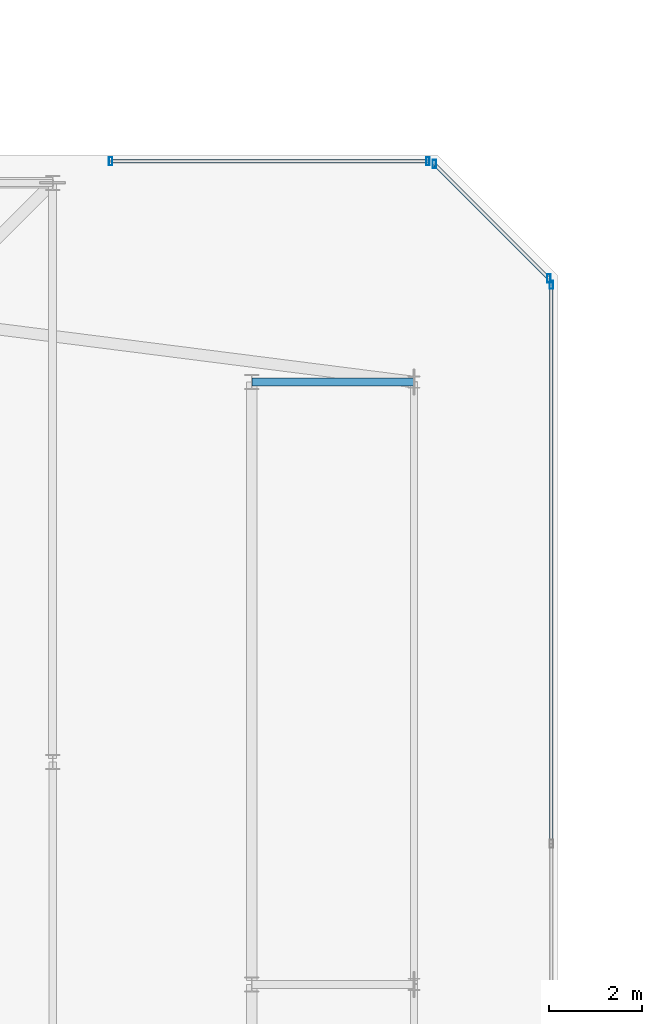
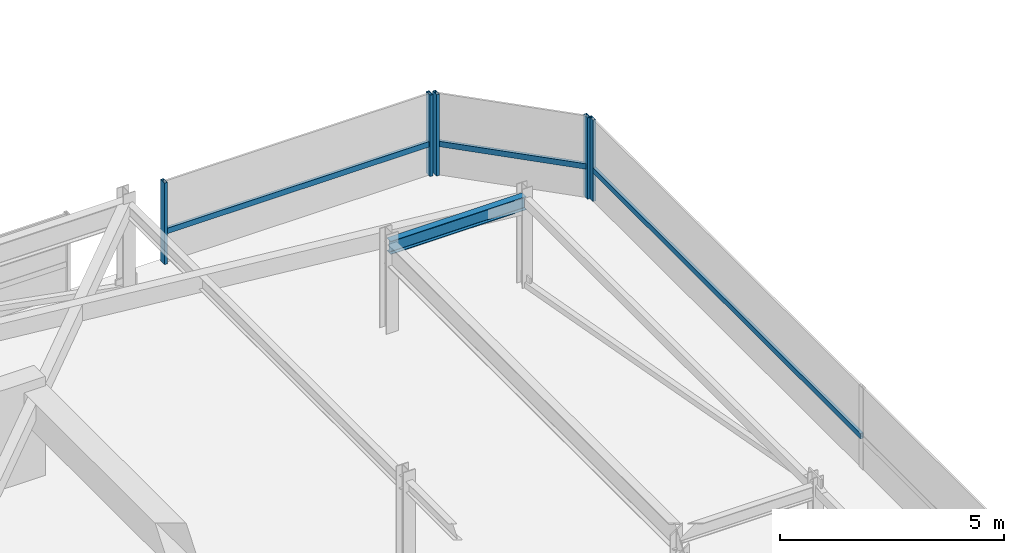
# One storey, part 27 of 44: 8 members, 1 beam, 3 elements without a shape of their own.
"""IFC4 building model written with IfcOpenShell, lengths in metres."""

from ifc_helpers import new_model, si_unit, direction, frame, origin, origin_2d, place, context, subcontext, project, spatial, hollow_rectangle, i_section, extrude, material, material_profile, profile_set, type_object, element, aggregate, save


model = new_model("IFC4")

# Units and contexts
model_context = context("Model", 3, precision=1e-05, world=origin(), true_north=direction((0.0, 1.0)))
body_context = subcontext(model_context, "Body", "Model", "MODEL_VIEW")
ifc_project = project(units=[si_unit("LENGTHUNIT", "METRE"), si_unit("AREAUNIT", "SQUARE_METRE"), si_unit("VOLUMEUNIT", "CUBIC_METRE"), si_unit("PLANEANGLEUNIT", "RADIAN"), si_unit("MASSUNIT", "GRAM", prefix="KILO")], contexts=[model_context])

# Site, building, storey
site_placement = place(None, origin())
site = spatial("IfcSite", under=ifc_project, at=site_placement, CompositionType="ELEMENT")
building_placement = place(site_placement, origin())
building = spatial("IfcBuilding", under=site, at=building_placement, Name="Thornwick Lancets Civic Towers", CompositionType="ELEMENT")
storey_placement = place(building_placement, frame((0.0, 0.0, 294.89990234375)))
storey = spatial("IfcBuildingStorey", under=building, at=storey_placement, Name="C06", CompositionType="ELEMENT", Elevation=294.89990234375)

# Beam
ifc_material_1 = material(Name="Steel S355JR", Category="steel")
ifc_material_profile_1 = material_profile(ifc_material_1, i_section(OverallWidth=0.173095703125, OverallDepth=0.36328125, WebThickness=0.009033203125, FlangeThickness=0.015625, FilletRadius=0.01025390625, at=origin_2d()), Name="UKB 356x171x67")
ifc_profile_set_1 = profile_set([ifc_material_profile_1], Name="Steel S355JR")
beam_type = type_object("IfcBeamType", Name="BM_JOIST_356_67", PredefinedType="JOIST", material=ifc_profile_set_1)
beam_placement = place(storey_placement, frame((42.800048828125, 40.0, 2.25830078125), z_axis=(1.0, 0.0, 0.0), x_axis=(0.0, 1.0, 0.0)))
element("IfcBeam", 1, at=beam_placement, inside=storey, type_object=beam_type, Name="BM-RAD-C06-A06", PredefinedType="JOIST", context=body_context, shape_type="SweptSolid", body=[
    extrude(i_section(OverallWidth=0.173095703125, OverallDepth=0.36328125, WebThickness=0.009033203125, FlangeThickness=0.015625, FilletRadius=0.01025390625, at=origin_2d()), origin(), (0.0, 0.0, 1.0), 3.5),
])

# Curtain wall, member
ifc_material_2 = material(Name="Crown ring acoustic-louvre and glazing screen wall", Category="glass")
curtain_wall_type = type_object("IfcCurtainWallType", Name="CW_SYS_07", PredefinedType="NOTDEFINED", material=ifc_material_2)
curtain_wall_1_placement = place(storey_placement, origin())
curtain_wall_1 = element("IfcCurtainWall", 2, at=curtain_wall_1_placement, inside=storey, type_object=curtain_wall_type, Name="C06 Curtain Wall CW-C06-A-E2", PredefinedType="NOTDEFINED")
ifc_material_3 = material(Name="Thermally broken bronze aluminium S355", Category="steel")
ifc_material_profile_2 = material_profile(ifc_material_3, hollow_rectangle(XDim=0.074951171875, YDim=0.179931640625, WallThickness=0.006103515625, at=origin_2d()), Name="RHS 180x75x6")
ifc_profile_set_2 = profile_set([ifc_material_profile_2], Name="Thermally broken bronze aluminium S355")
member_type_1 = type_object("IfcMemberType", Name="CW_MUL_180", PredefinedType="MULLION", material=ifc_profile_set_2)
member_1_placement = place(storey_placement, frame((49.2646484375, 42.101318359375, 0.0), z_axis=(0.0, 0.0, 1.0), x_axis=(1.0, 0.0, 0.0)))
member_1 = element("IfcMember", 3, at=member_1_placement, type_object=member_type_1, Name="CW-C06-A-E2 Mullion 3", PredefinedType="MULLION", context=body_context, shape_type="SweptSolid", body=[
    extrude(hollow_rectangle(XDim=0.074951171875, YDim=0.179931640625, WallThickness=0.006103515625, at=origin_2d()), origin(), (0.0, 0.0, 1.0), 2.22021484375),
])

# Curtain wall, members
curtain_wall_2_placement = place(storey_placement, origin())
curtain_wall_2 = element("IfcCurtainWall", 4, at=curtain_wall_2_placement, inside=storey, type_object=curtain_wall_type, Name="C06 Curtain Wall CW-C06-A-E3", PredefinedType="NOTDEFINED")
member_2_placement = place(storey_placement, frame((49.2080078125, 42.238037109375, 0.0), z_axis=(0.0, 0.0, 1.0), x_axis=(1.0, 0.0, 0.0)))
member_2 = element("IfcMember", 5, at=member_2_placement, type_object=member_type_1, Name="CW-C06-A-E3 Mullion 0", PredefinedType="MULLION", context=body_context, shape_type="SweptSolid", body=[
    extrude(hollow_rectangle(XDim=0.074951171875, YDim=0.179931640625, WallThickness=0.006103515625, at=origin_2d()), origin(), (0.0, 0.0, 1.0), 2.22021484375),
])
member_3_placement = place(storey_placement, frame((46.738037109375, 44.7080078125, 0.0), z_axis=(0.0, 0.0, 1.0), x_axis=(1.0, 0.0, 0.0)))
member_3 = element("IfcMember", 6, at=member_3_placement, type_object=member_type_1, Name="CW-C06-A-E3 Mullion 1", PredefinedType="MULLION", context=body_context, shape_type="SweptSolid", body=[
    extrude(hollow_rectangle(XDim=0.074951171875, YDim=0.179931640625, WallThickness=0.006103515625, at=origin_2d()), origin(), (0.0, 0.0, 1.0), 2.22021484375),
])

curtain_wall_3_placement = place(storey_placement, origin())
curtain_wall_3 = element("IfcCurtainWall", 7, at=curtain_wall_3_placement, inside=storey, type_object=curtain_wall_type, Name="C06 Curtain Wall CW-C06-A-E4-S1", PredefinedType="NOTDEFINED")
member_4_placement = place(storey_placement, frame((46.601318359375, 44.7646484375, 0.0), z_axis=(0.0, 0.0, 1.0), x_axis=(1.0, 0.0, 0.0)))
member_4 = element("IfcMember", 8, at=member_4_placement, type_object=member_type_1, Name="CW-C06-A-E4-S1 Mullion 0", PredefinedType="MULLION", context=body_context, shape_type="SweptSolid", body=[
    extrude(hollow_rectangle(XDim=0.074951171875, YDim=0.179931640625, WallThickness=0.006103515625, at=origin_2d()), origin(), (0.0, 0.0, 1.0), 2.22021484375),
])
member_5_placement = place(storey_placement, frame((39.75, 44.7646484375, 0.0), z_axis=(0.0, 0.0, 1.0), x_axis=(1.0, 0.0, 0.0)))
member_5 = element("IfcMember", 9, at=member_5_placement, type_object=member_type_1, Name="CW-C06-A-E4-S1 Mullion 1", PredefinedType="MULLION", context=body_context, shape_type="SweptSolid", body=[
    extrude(hollow_rectangle(XDim=0.074951171875, YDim=0.179931640625, WallThickness=0.006103515625, at=origin_2d()), origin(), (0.0, 0.0, 1.0), 2.22021484375),
])

# Member
ifc_material_profile_3 = material_profile(ifc_material_3, hollow_rectangle(XDim=0.074951171875, YDim=0.14990234375, WallThickness=0.0048828125, at=origin_2d()), Name="RHS 150x75x5")
ifc_profile_set_3 = profile_set([ifc_material_profile_3], Name="Thermally broken bronze aluminium S355")
member_type_2 = type_object("IfcMemberType", Name="CW_TRN_150", PredefinedType="USERDEFINED", material=ifc_profile_set_3)
member_6_placement = place(storey_placement, frame((49.2646484375, 30.0537109375, 0.85009765625), z_axis=(0.0, 1.0, 0.0), x_axis=(-1.0, 0.0, 0.0)))
member_6 = element("IfcMember", 10, at=member_6_placement, type_object=member_type_2, Name="CW-C06-A-E2 Transom 2", ObjectType="TRANSOM", PredefinedType="USERDEFINED", context=body_context, shape_type="SweptSolid", body=[
    extrude(hollow_rectangle(XDim=0.074951171875, YDim=0.14990234375, WallThickness=0.0048828125, at=origin_2d()), origin(), (0.0, 0.0, 1.0), 12.027587890625),
])

aggregate(curtain_wall_1, [member_1, member_6])

member_7_placement = place(storey_placement, frame((49.19384765625, 42.252197265625, 0.85009765625), z_axis=(-0.707106781187, 0.707106781187, 0.0), x_axis=(-0.707106781187, -0.707106781187, 0.0)))
member_7 = element("IfcMember", 11, at=member_7_placement, type_object=member_type_2, Name="CW-C06-A-E3 Transom 0", ObjectType="TRANSOM", PredefinedType="USERDEFINED", context=body_context, shape_type="SweptSolid", body=[
    extrude(hollow_rectangle(XDim=0.074951171875, YDim=0.14990234375, WallThickness=0.0048828125, at=origin_2d()), origin(), (0.0, 0.0, 1.0), 3.453125),
])

aggregate(curtain_wall_2, [member_2, member_3, member_7])

member_8_placement = place(storey_placement, frame((46.581298828125, 44.7646484375, 0.85009765625), z_axis=(-1.0, 0.0, 0.0), x_axis=(0.0, -1.0, 0.0)))
member_8 = element("IfcMember", 12, at=member_8_placement, type_object=member_type_2, Name="CW-C06-A-E4-S1 Transom 0", ObjectType="TRANSOM", PredefinedType="USERDEFINED", context=body_context, shape_type="SweptSolid", body=[
    extrude(hollow_rectangle(XDim=0.074951171875, YDim=0.14990234375, WallThickness=0.0048828125, at=origin_2d()), origin(), (0.0, 0.0, 1.0), 6.811279296875),
])

aggregate(curtain_wall_3, [member_4, member_5, member_8])

save(model, "model.ifc")
